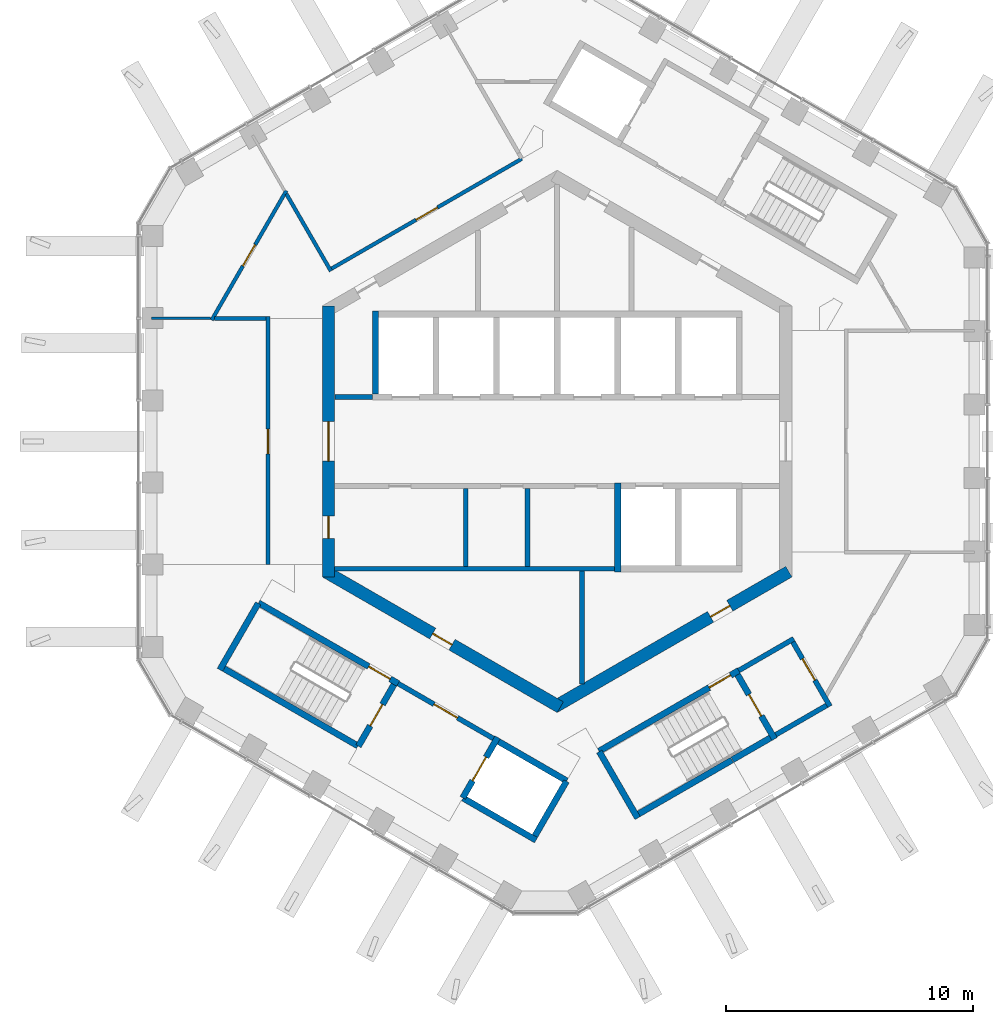
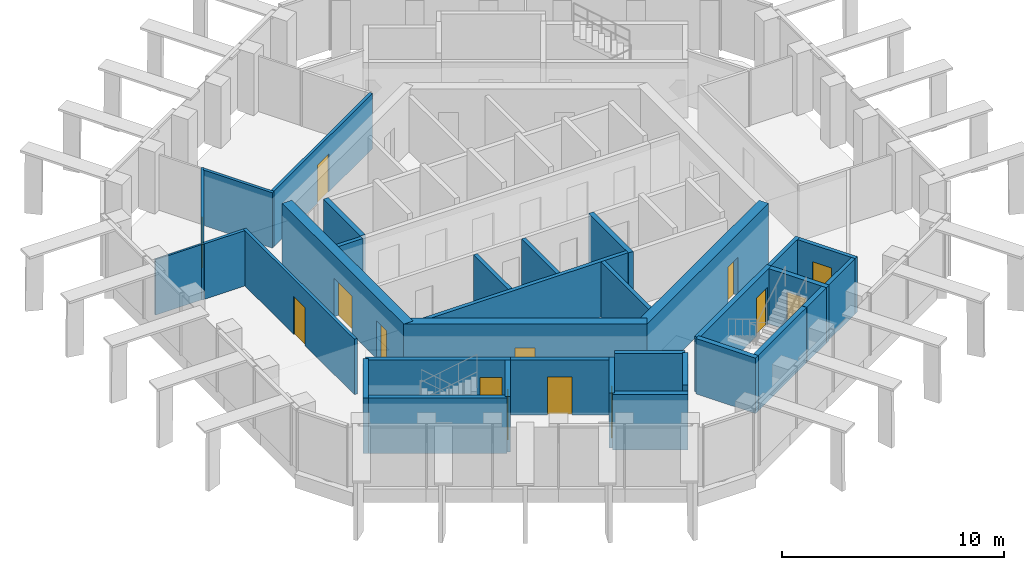
# One storey, part 11 of 17: 33 walls, 14 doors, 14 openings.
"""IFC4 building model written with IfcOpenShell, lengths in metres."""

from ifc_helpers import new_model, si_unit, direction, frame, frame_2d, origin, place, context, subcontext, project, spatial, rectangle, extrude, material, layer, layer_set, type_object, element, fill, save


model = new_model("IFC4")

# Units and contexts
model_context = context("Model", 3, precision=1e-05, world=origin(), true_north=direction((0.0, 1.0)))
body_context = subcontext(model_context, "Body", "Model", "MODEL_VIEW")
ifc_project = project(units=[si_unit("LENGTHUNIT", "METRE"), si_unit("AREAUNIT", "SQUARE_METRE"), si_unit("VOLUMEUNIT", "CUBIC_METRE"), si_unit("PLANEANGLEUNIT", "RADIAN"), si_unit("MASSUNIT", "GRAM", prefix="KILO")], contexts=[model_context])

# Site, building, storey
site_placement = place(None, origin())
site = spatial("IfcSite", under=ifc_project, at=site_placement, CompositionType="ELEMENT")
building_placement = place(site_placement, origin())
building = spatial("IfcBuilding", under=site, at=building_placement, Name="Ayvan Gate Tower", CompositionType="ELEMENT")
storey_placement = place(building_placement, frame((0.0, 0.0, 246.10009765625)))
storey = spatial("IfcBuildingStorey", under=building, at=storey_placement, Name="L66", CompositionType="ELEMENT", Elevation=246.10009765625)

# Wall, openings, doors
ifc_material_1 = material(Name="Concrete C60/75", Category="concrete")
ifc_layer_1 = layer(ifc_material_1, 0.5)
ifc_layer_set_1 = layer_set([ifc_layer_1], Name="Concrete C60/75")
wall_type_1 = type_object("IfcWallType", Name="Core wall 500 C60/75", PredefinedType="SHEAR", material=ifc_layer_set_1)
wall_1_placement = place(storey_placement, frame((-9.25, 5.48486328125, 0.0), z_axis=(0.0, 0.0, 1.0), x_axis=(0.0, -1.0, 0.0)))
wall_1 = element("IfcWall", 1, at=wall_1_placement, inside=storey, type_object=wall_type_1, Name="CORE-L66-3", PredefinedType="SHEAR", context=body_context, shape_type="SweptSolid", body=[
    extrude(rectangle(XDim=10.9697265625, YDim=0.5, at=frame_2d((5.48486328125, 0.0))), origin(), (0.0, 0.0, 1.0), 3.39990234375),
])
opening_1_placement = place(wall_1_placement, frame((8.509765625, 0.0, 0.0)))
opening_1 = element("IfcOpeningElement", 2, at=opening_1_placement, cuts=wall_1, Name="Opening L66-D35", PredefinedType="OPENING", context=body_context, shape_type="SweptSolid", body=[
    extrude(rectangle(XDim=0.89990234375, YDim=2.10009765625, at=frame_2d((0.449951171875, 1.050048828125))), frame((0.0, 0.260009765625, 0.0), z_axis=(0.0, -1.0, 0.0), x_axis=(1.0, 0.0, 0.0)), (0.0, 0.0, 1.0), 0.52001953125),
])
opening_2_placement = place(wall_1_placement, frame((4.684814453125, 0.0, 0.0)))
opening_2 = element("IfcOpeningElement", 3, at=opening_2_placement, cuts=wall_1, Name="Opening L66-D37", PredefinedType="OPENING", context=body_context, shape_type="SweptSolid", body=[
    extrude(rectangle(XDim=1.60009765625, YDim=2.10009765625, at=frame_2d((0.800048828125, 1.050048828125))), frame((0.0, 0.260009765625, 0.0), z_axis=(0.0, -1.0, 0.0), x_axis=(1.0, 0.0, 0.0)), (0.0, 0.0, 1.0), 0.52001953125),
])
ifc_material_2 = material(Name="Timber door leaf", Category="wood")
door_type_1 = type_object("IfcDoorType", Name="DT-1600", OperationType="NOTDEFINED", PredefinedType="DOOR", material=ifc_material_2)
door_1_placement = place(opening_2_placement, origin())
door_1 = element("IfcDoor", 4, at=door_1_placement, inside=storey, type_object=door_type_1, Name="CD-L66-37", OperationType="SINGLE_SWING_LEFT", OverallHeight=2.10009765625, OverallWidth=1.60009765625, PredefinedType="DOOR", context=body_context, shape_type="SweptSolid", body=[
    extrude(rectangle(XDim=1.60009765625, YDim=2.10009765625, at=frame_2d((0.800048828125, 1.050048828125))), frame((0.0, 0.02490234375, 0.0), z_axis=(0.0, -1.0, 0.0), x_axis=(1.0, 0.0, 0.0)), (0.0, 0.0, 1.0), 0.050048828125),
])
fill(opening_2, door_1)
door_type_2 = type_object("IfcDoorType", Name="DT-900", OperationType="NOTDEFINED", PredefinedType="DOOR", material=ifc_material_2)
door_2_placement = place(opening_1_placement, origin())
door_2 = element("IfcDoor", 5, at=door_2_placement, inside=storey, type_object=door_type_2, Name="CD-L66-35", OperationType="SINGLE_SWING_LEFT", OverallHeight=2.10009765625, OverallWidth=0.89990234375, PredefinedType="DOOR", context=body_context, shape_type="SweptSolid", body=[
    extrude(rectangle(XDim=0.89990234375, YDim=2.10009765625, at=frame_2d((0.449951171875, 1.050048828125))), frame((0.0, 0.02490234375, 0.0), z_axis=(0.0, -1.0, 0.0), x_axis=(1.0, 0.0, 0.0)), (0.0, 0.0, 1.0), 0.050048828125),
])
fill(opening_1, door_2)

# Wall, opening, door
wall_2_placement = place(storey_placement, frame((-9.375, -5.268310546875, 0.0), z_axis=(0.0, 0.0, 1.0), x_axis=(0.866023993627, -0.500002442456, 0.0)))
wall_2 = element("IfcWall", 6, at=wall_2_placement, inside=storey, type_object=wall_type_1, Name="CORE-L66-4", PredefinedType="SHEAR", context=body_context, shape_type="SweptSolid", body=[
    extrude(rectangle(XDim=10.9697265625, YDim=0.5, at=frame_2d((5.48486328125, 0.0))), origin(), (0.0, 0.0, 1.0), 3.39990234375),
])
opening_3_placement = place(wall_2_placement, frame((5.01123046875, 0.0, 0.0)))
opening_3 = element("IfcOpeningElement", 7, at=opening_3_placement, cuts=wall_2, Name="Opening L66-D33", PredefinedType="OPENING", context=body_context, shape_type="SweptSolid", body=[
    extrude(rectangle(XDim=0.89990234375, YDim=2.10009765625, at=frame_2d((0.449951171875, 1.050048828125))), frame((0.0, 0.260009765625, 0.0), z_axis=(0.0, -1.0, 0.0), x_axis=(1.0, 0.0, 0.0)), (0.0, 0.0, 1.0), 0.52001953125),
])
door_3_placement = place(opening_3_placement, origin())
door_3 = element("IfcDoor", 8, at=door_3_placement, inside=storey, type_object=door_type_2, Name="CD-L66-33", OperationType="SINGLE_SWING_LEFT", OverallHeight=2.10009765625, OverallWidth=0.89990234375, PredefinedType="DOOR", context=body_context, shape_type="SweptSolid", body=[
    extrude(rectangle(XDim=0.89990234375, YDim=2.10009765625, at=frame_2d((0.449951171875, 1.050048828125))), frame((0.0, 0.02490234375, 0.0), z_axis=(0.0, -1.0, 0.0), x_axis=(1.0, 0.0, 0.0)), (0.0, 0.0, 1.0), 0.050048828125),
])
fill(opening_3, door_3)

wall_3_placement = place(storey_placement, frame((-0.125, -10.753173828125, 0.0), z_axis=(0.0, 0.0, 1.0), x_axis=(0.866023993627, 0.500002442456, 0.0)))
wall_3 = element("IfcWall", 9, at=wall_3_placement, inside=storey, type_object=wall_type_1, Name="CORE-L66-5", PredefinedType="SHEAR", context=body_context, shape_type="SweptSolid", body=[
    extrude(rectangle(XDim=10.9697265625, YDim=0.5, at=frame_2d((5.48486328125, 0.0))), origin(), (0.0, 0.0, 1.0), 3.39990234375),
])
opening_4_placement = place(wall_3_placement, frame((7.310791015625, 0.0, 0.0)))
opening_4 = element("IfcOpeningElement", 10, at=opening_4_placement, cuts=wall_3, Name="Opening L66-D34", PredefinedType="OPENING", context=body_context, shape_type="SweptSolid", body=[
    extrude(rectangle(XDim=0.89990234375, YDim=2.10009765625, at=frame_2d((0.449951171875, 1.050048828125))), frame((0.0, 0.260009765625, 0.0), z_axis=(0.0, -1.0, 0.0), x_axis=(1.0, 0.0, 0.0)), (0.0, 0.0, 1.0), 0.52001953125),
])
door_4_placement = place(opening_4_placement, origin())
door_4 = element("IfcDoor", 11, at=door_4_placement, inside=storey, type_object=door_type_2, Name="CD-L66-34", OperationType="SINGLE_SWING_RIGHT", OverallHeight=2.10009765625, OverallWidth=0.89990234375, PredefinedType="DOOR", context=body_context, shape_type="SweptSolid", body=[
    extrude(rectangle(XDim=0.89990234375, YDim=2.10009765625, at=frame_2d((0.449951171875, 1.050048828125))), frame((0.0, 0.02490234375, 0.0), z_axis=(0.0, -1.0, 0.0), x_axis=(1.0, 0.0, 0.0)), (0.0, 0.0, 1.0), 0.050048828125),
])
fill(opening_4, door_4)

ifc_material_3 = material(Name="Plasterboard on steel stud", Category="steel")
ifc_layer_2 = layer(ifc_material_3, 0.14990234375)
ifc_layer_set_2 = layer_set([ifc_layer_2], Name="Plasterboard on steel stud")
wall_type_2 = type_object("IfcWallType", Name="WT-CORR-150", PredefinedType="PARTITIONING", material=ifc_layer_set_2)
wall_4_placement = place(storey_placement, frame((-13.9794921875, 4.910400390625, 0.0), z_axis=(0.0, 0.0, 1.0), x_axis=(0.500000995992, 0.866024828747, 0.0)))
wall_4 = element("IfcWall", 12, at=wall_4_placement, inside=storey, type_object=wall_type_2, Name="IW-L66-001", PredefinedType="PARTITIONING", context=body_context, shape_type="SweptSolid", body=[
    extrude(rectangle(XDim=6.04443359375, YDim=0.14990234375, at=frame_2d((3.022216796875, 0.0))), origin(), (0.0, 0.0, 1.0), 3.0498046875),
])
opening_5_placement = place(wall_4_placement, frame((2.522216796875, 0.0, 0.0)))
opening_5 = element("IfcOpeningElement", 13, at=opening_5_placement, cuts=wall_4, Name="Opening L66-D25", PredefinedType="OPENING", context=body_context, shape_type="SweptSolid", body=[
    extrude(rectangle(XDim=1.0, YDim=2.10009765625, at=frame_2d((0.5, 1.050048828125))), frame((0.0, 0.0849609375, 0.0), z_axis=(0.0, -1.0, 0.0), x_axis=(1.0, 0.0, 0.0)), (0.0, 0.0, 1.0), 0.169921875),
])
door_type_3 = type_object("IfcDoorType", Name="DT-1000", OperationType="NOTDEFINED", PredefinedType="DOOR", material=ifc_material_2)
door_5_placement = place(opening_5_placement, origin())
door_5 = element("IfcDoor", 14, at=door_5_placement, inside=storey, type_object=door_type_3, Name="ID-L66-025", OperationType="SINGLE_SWING_LEFT", OverallHeight=2.10009765625, OverallWidth=1.0, PredefinedType="DOOR", context=body_context, shape_type="SweptSolid", body=[
    extrude(rectangle(XDim=1.0, YDim=2.10009765625, at=frame_2d((0.5, 1.050048828125))), frame((0.0, 0.02490234375, 0.0), z_axis=(0.0, -1.0, 0.0), x_axis=(1.0, 0.0, 0.0)), (0.0, 0.0, 1.0), 0.050048828125),
])
fill(opening_5, door_5)

wall_5_placement = place(storey_placement, frame((-11.699951171875, -4.97509765625, 0.0), z_axis=(0.0, 0.0, 1.0), x_axis=(0.0, 1.0, 0.0)))
wall_5 = element("IfcWall", 15, at=wall_5_placement, inside=storey, type_object=wall_type_2, Name="IW-L66-005", PredefinedType="PARTITIONING", context=body_context, shape_type="SweptSolid", body=[
    extrude(rectangle(XDim=10.025390625, YDim=0.14990234375, at=frame_2d((5.0126953125, 0.0))), origin(), (0.0, 0.0, 1.0), 3.0498046875),
])
opening_6_placement = place(wall_5_placement, frame((4.474609375, 0.0, 0.0)))
opening_6 = element("IfcOpeningElement", 16, at=opening_6_placement, cuts=wall_5, Name="Opening L66-D26", PredefinedType="OPENING", context=body_context, shape_type="SweptSolid", body=[
    extrude(rectangle(XDim=1.0, YDim=2.10009765625, at=frame_2d((0.5, 1.050048828125))), frame((0.0, 0.0849609375, 0.0), z_axis=(0.0, -1.0, 0.0), x_axis=(1.0, 0.0, 0.0)), (0.0, 0.0, 1.0), 0.169921875),
])
door_6_placement = place(opening_6_placement, origin())
door_6 = element("IfcDoor", 17, at=door_6_placement, inside=storey, type_object=door_type_3, Name="ID-L66-026", OperationType="SINGLE_SWING_RIGHT", OverallHeight=2.10009765625, OverallWidth=1.0, PredefinedType="DOOR", context=body_context, shape_type="SweptSolid", body=[
    extrude(rectangle(XDim=1.0, YDim=2.10009765625, at=frame_2d((0.5, 1.050048828125))), frame((0.0, 0.02490234375, 0.0), z_axis=(0.0, -1.0, 0.0), x_axis=(1.0, 0.0, 0.0)), (0.0, 0.0, 1.0), 0.050048828125),
])
fill(opening_6, door_6)

# Walls
wall_6_placement = place(storey_placement, frame((-11.77490234375, 4.97509765625, 0.0), z_axis=(0.0, 0.0, 1.0), x_axis=(-1.0, 0.0, 0.0)))
element("IfcWall", 18, at=wall_6_placement, inside=storey, type_object=wall_type_2, Name="IW-L66-006", PredefinedType="PARTITIONING", context=body_context, shape_type="SweptSolid", body=[
    extrude(rectangle(XDim=2.092041015625, YDim=0.14990234375, at=frame_2d((1.0458984375, 0.0))), origin(), (0.0, 0.0, 1.0), 3.0498046875),
])
wall_7_placement = place(storey_placement, frame((-10.957275390625, 10.014892578125, 0.0), z_axis=(0.0, 0.0, 1.0), x_axis=(0.500019324569, -0.866014246452, 0.0)))
element("IfcWall", 19, at=wall_7_placement, inside=storey, type_object=wall_type_2, Name="IW-L66-007", PredefinedType="PARTITIONING", context=body_context, shape_type="SweptSolid", body=[
    extrude(rectangle(XDim=3.606689453125, YDim=0.14990234375, at=frame_2d((1.80322265625, 0.0))), origin(), (0.0, 0.0, 1.0), 3.0498046875),
])

# Wall, opening, door
wall_8_placement = place(storey_placement, frame((-9.12646484375, 6.993896484375, 0.0), z_axis=(0.0, 0.0, 1.0), x_axis=(0.866030533695, 0.499991114629, 0.0)))
wall_8 = element("IfcWall", 20, at=wall_8_placement, inside=storey, type_object=wall_type_2, Name="IW-L66-008", PredefinedType="PARTITIONING", context=body_context, shape_type="SweptSolid", body=[
    extrude(rectangle(XDim=8.888916015625, YDim=0.14990234375, at=frame_2d((4.4443359375, 0.0))), origin(), (0.0, 0.0, 1.0), 3.0498046875),
])
opening_7_placement = place(wall_8_placement, frame((3.9443359375, 0.0, 0.0)))
opening_7 = element("IfcOpeningElement", 21, at=opening_7_placement, cuts=wall_8, Name="Opening L66-D28", PredefinedType="OPENING", context=body_context, shape_type="SweptSolid", body=[
    extrude(rectangle(XDim=1.0, YDim=2.10009765625, at=frame_2d((0.5, 1.050048828125))), frame((0.0, 0.0849609375, 0.0), z_axis=(0.0, -1.0, 0.0), x_axis=(1.0, 0.0, 0.0)), (0.0, 0.0, 1.0), 0.169921875),
])
door_7_placement = place(opening_7_placement, origin())
door_7 = element("IfcDoor", 22, at=door_7_placement, inside=storey, type_object=door_type_3, Name="ID-L66-028", OperationType="SINGLE_SWING_RIGHT", OverallHeight=2.10009765625, OverallWidth=1.0, PredefinedType="DOOR", context=body_context, shape_type="SweptSolid", body=[
    extrude(rectangle(XDim=1.0, YDim=2.10009765625, at=frame_2d((0.5, 1.050048828125))), frame((0.0, 0.02490234375, 0.0), z_axis=(0.0, -1.0, 0.0), x_axis=(1.0, 0.0, 0.0)), (0.0, 0.0, 1.0), 0.050048828125),
])
fill(opening_7, door_7)

# Walls
ifc_layer_3 = layer(ifc_material_3, 0.10009765625)
ifc_layer_set_3 = layer_set([ifc_layer_3], Name="Plasterboard on steel stud")
wall_type_3 = type_object("IfcWallType", Name="WT-PART-100", PredefinedType="PARTITIONING", material=ifc_layer_set_3)
wall_9_placement = place(storey_placement, frame((-14.01708984375, 4.97509765625, 0.0), z_axis=(0.0, 0.0, 1.0), x_axis=(-1.0, 0.0, 0.0)))
element("IfcWall", 23, at=wall_9_placement, inside=storey, type_object=wall_type_3, Name="IW-L66-000", PredefinedType="PARTITIONING", context=body_context, shape_type="SweptSolid", body=[
    extrude(rectangle(XDim=2.3955078125, YDim=0.10009765625, at=frame_2d((1.19775390625, 0.0))), origin(), (0.0, 0.0, 1.0), 3.0498046875),
])
ifc_layer_4 = layer(ifc_material_3, 0.199951171875)
ifc_layer_set_4 = layer_set([ifc_layer_4], Name="Plasterboard on steel stud")
wall_type_4 = type_object("IfcWallType", Name="WT-RATED-200", PredefinedType="PARTITIONING", material=ifc_layer_set_4)
wall_10_placement = place(storey_placement, frame((-9.0, 1.800048828125, 0.0), z_axis=(0.0, 0.0, 1.0), x_axis=(1.0, 0.0, 0.0)))
element("IfcWall", 24, at=wall_10_placement, inside=storey, type_object=wall_type_4, Name="IW-L66-009", PredefinedType="PARTITIONING", context=body_context, shape_type="SweptSolid", body=[
    extrude(rectangle(XDim=1.525146484375, YDim=0.199951171875, at=frame_2d((0.7626953125, 0.0))), origin(), (0.0, 0.0, 1.0), 3.0498046875),
])
wall_11_placement = place(storey_placement, frame((-9.0, -5.14990234375, 0.0), z_axis=(0.0, 0.0, 1.0), x_axis=(1.0, 0.0, 0.0)))
element("IfcWall", 25, at=wall_11_placement, inside=storey, type_object=wall_type_4, Name="IW-L66-010", PredefinedType="PARTITIONING", context=body_context, shape_type="SweptSolid", body=[
    extrude(rectangle(XDim=11.3251953125, YDim=0.199951171875, at=frame_2d((5.66259765625, 0.0))), origin(), (0.0, 0.0, 1.0), 3.0498046875),
])

# Wall, opening, door
wall_12_placement = place(storey_placement, frame((-6.4345703125, -9.794921875, 0.0), z_axis=(0.0, 0.0, 1.0), x_axis=(0.866012907634, -0.500021643343, 0.0)))
wall_12 = element("IfcWall", 26, at=wall_12_placement, inside=storey, type_object=wall_type_4, Name="IW-L66-016", PredefinedType="PARTITIONING", context=body_context, shape_type="SweptSolid", body=[
    extrude(rectangle(XDim=4.449951171875, YDim=0.199951171875, at=frame_2d((2.22509765625, 0.0))), origin(), (0.0, 0.0, 1.0), 3.0498046875),
])
opening_8_placement = place(wall_12_placement, frame((1.675048828125, 0.0, 0.0)))
opening_8 = element("IfcOpeningElement", 27, at=opening_8_placement, cuts=wall_12, Name="Opening L66-D17", PredefinedType="OPENING", context=body_context, shape_type="SweptSolid", body=[
    extrude(rectangle(XDim=1.10009765625, YDim=2.10009765625, at=frame_2d((0.550048828125, 1.050048828125))), frame((0.0, 0.10986328125, 0.0), z_axis=(0.0, -1.0, 0.0), x_axis=(1.0, 0.0, 0.0)), (0.0, 0.0, 1.0), 0.219970703125),
])
door_type_4 = type_object("IfcDoorType", Name="DT-1100", OperationType="NOTDEFINED", PredefinedType="DOOR", material=ifc_material_2)
door_8_placement = place(opening_8_placement, origin())
door_8 = element("IfcDoor", 28, at=door_8_placement, inside=storey, type_object=door_type_4, Name="ID-L66-017", OperationType="SINGLE_SWING_LEFT", OverallHeight=2.10009765625, OverallWidth=1.10009765625, PredefinedType="DOOR", context=body_context, shape_type="SweptSolid", body=[
    extrude(rectangle(XDim=1.10009765625, YDim=2.10009765625, at=frame_2d((0.550048828125, 1.050048828125))), frame((0.0, 0.02490234375, 0.0), z_axis=(0.0, -1.0, 0.0), x_axis=(1.0, 0.0, 0.0)), (0.0, 0.0, 1.0), 0.050048828125),
])
fill(opening_8, door_8)

# Walls
for number, where, z_axis, x_axis, name in (
    (29, (-3.699951171875, -1.89990234375, 0.0), (0.0, 0.0, 1.0), (0.0, -1.0, 0.0), "IW-L66-018"),
    (30, (-1.199951171875, -1.89990234375, 0.0), (0.0, 0.0, 1.0), (0.0, -1.0, 0.0), "IW-L66-028"),
):
    element("IfcWall", number, at=place(storey_placement, frame(where, z_axis=z_axis, x_axis=x_axis)), inside=storey, type_object=wall_type_4, Name=name, PredefinedType="PARTITIONING", context=body_context, shape_type="SweptSolid", body=[
        extrude(rectangle(XDim=3.150146484375, YDim=0.199951171875, at=frame_2d((1.5751953125, 0.0))), origin(), (0.0, 0.0, 1.0), 3.0498046875),
    ])
wall_13_placement = place(storey_placement, frame((1.0, -5.25, 0.0), z_axis=(0.0, 0.0, 1.0), x_axis=(0.0, -1.0, 0.0)))
element("IfcWall", 31, at=wall_13_placement, inside=storey, type_object=wall_type_4, Name="IW-L66-035", PredefinedType="PARTITIONING", context=body_context, shape_type="SweptSolid", body=[
    extrude(rectangle(XDim=4.56494140625, YDim=0.199951171875, at=frame_2d((2.282470703125, 0.0))), origin(), (0.0, 0.0, 1.0), 3.0498046875),
])
wall_14_placement = place(storey_placement, frame((7.343994140625, -9.27001953125, 0.0), z_axis=(0.0, 0.0, 1.0), x_axis=(0.866005588531, 0.500034319456, 0.0)))
element("IfcWall", 32, at=wall_14_placement, inside=storey, type_object=wall_type_4, Name="IW-L66-053", PredefinedType="PARTITIONING", context=body_context, shape_type="SweptSolid", body=[
    extrude(rectangle(XDim=2.574951171875, YDim=0.199951171875, at=frame_2d((1.28759765625, 0.0))), origin(), (0.0, 0.0, 1.0), 3.0498046875),
])

# Wall, opening, door
wall_15_placement = place(storey_placement, frame((9.537353515625, -8.119140625, 0.0), z_axis=(0.0, 0.0, 1.0), x_axis=(0.499990139034, -0.866031096941, 0.0)))
wall_15 = element("IfcWall", 33, at=wall_15_placement, inside=storey, type_object=wall_type_4, Name="IW-L66-062", PredefinedType="PARTITIONING", context=body_context, shape_type="SweptSolid", body=[
    extrude(rectangle(XDim=3.0, YDim=0.199951171875, at=frame_2d((1.5, 0.0))), origin(), (0.0, 0.0, 1.0), 3.0498046875),
])
opening_9_placement = place(wall_15_placement, frame((0.777587890625, 0.0, 0.0)))
opening_9 = element("IfcOpeningElement", 34, at=opening_9_placement, cuts=wall_15, Name="Opening L66-D20", PredefinedType="OPENING", context=body_context, shape_type="SweptSolid", body=[
    extrude(rectangle(XDim=1.0, YDim=2.10009765625, at=frame_2d((0.5, 1.050048828125))), frame((0.0, 0.10986328125, 0.0), z_axis=(0.0, -1.0, 0.0), x_axis=(1.0, 0.0, 0.0)), (0.0, 0.0, 1.0), 0.219970703125),
])
door_9_placement = place(opening_9_placement, origin())
door_9 = element("IfcDoor", 35, at=door_9_placement, inside=storey, type_object=door_type_3, Name="ID-L66-020", OperationType="SINGLE_SWING_RIGHT", OverallHeight=2.10009765625, OverallWidth=1.0, PredefinedType="DOOR", context=body_context, shape_type="SweptSolid", body=[
    extrude(rectangle(XDim=1.0, YDim=2.10009765625, at=frame_2d((0.5, 1.050048828125))), frame((0.0, 0.02490234375, 0.0), z_axis=(0.0, -1.0, 0.0), x_axis=(1.0, 0.0, 0.0)), (0.0, 0.0, 1.0), 0.050048828125),
])
fill(opening_9, door_9)

# Walls
wall_16_placement = place(storey_placement, frame((10.900634765625, -10.6806640625, 0.0), z_axis=(0.0, 0.0, 1.0), x_axis=(-0.866007538022, -0.500030943131, 0.0)))
element("IfcWall", 36, at=wall_16_placement, inside=storey, type_object=wall_type_4, Name="IW-L66-063", PredefinedType="PARTITIONING", context=body_context, shape_type="SweptSolid", body=[
    extrude(rectangle(XDim=2.374755859375, YDim=0.199951171875, at=frame_2d((1.1875, 0.0))), origin(), (0.0, 0.0, 1.0), 3.0498046875),
])
ifc_material_4 = material(Name="Concrete C50/60", Category="concrete")
ifc_layer_5 = layer(ifc_material_4, 0.25)
ifc_layer_set_5 = layer_set([ifc_layer_5], Name="Concrete C50/60")
wall_type_5 = type_object("IfcWallType", Name="WT-RC-250", PredefinedType="SHEAR", material=ifc_layer_set_5)
wall_17_placement = place(storey_placement, frame((-13.64794921875, -9.23876953125, 0.0), z_axis=(0.0, 0.0, 1.0), x_axis=(0.500003782172, 0.866023220135, 0.0)))
element("IfcWall", 37, at=wall_17_placement, inside=storey, type_object=wall_type_5, Name="IW-L66-002", PredefinedType="SHEAR", context=body_context, shape_type="SweptSolid", body=[
    extrude(rectangle(XDim=3.10498046875, YDim=0.25, at=frame_2d((1.552490234375, 0.0))), origin(), (0.0, 0.0, 1.0), 3.0498046875),
])

# Wall, opening, door
wall_18_placement = place(storey_placement, frame((-12.08544921875, -6.532470703125, 0.0), z_axis=(0.0, 0.0, 1.0), x_axis=(0.866031063448, -0.499990197047, 0.0)))
wall_18 = element("IfcWall", 38, at=wall_18_placement, inside=storey, type_object=wall_type_5, Name="IW-L66-004", PredefinedType="SHEAR", context=body_context, shape_type="SweptSolid", body=[
    extrude(rectangle(XDim=6.525146484375, YDim=0.25, at=frame_2d((3.2626953125, 0.0))), origin(), (0.0, 0.0, 1.0), 3.0498046875),
])
opening_10_placement = place(wall_18_placement, frame((5.14990234375, 0.0, 0.0)))
opening_10 = element("IfcOpeningElement", 39, at=opening_10_placement, cuts=wall_18, Name="Opening L66-D15", PredefinedType="OPENING", context=body_context, shape_type="SweptSolid", body=[
    extrude(rectangle(XDim=1.0, YDim=2.10009765625, at=frame_2d((0.5, 1.050048828125))), frame((0.0, 0.135009765625, 0.0), z_axis=(0.0, -1.0, 0.0), x_axis=(1.0, 0.0, 0.0)), (0.0, 0.0, 1.0), 0.27001953125),
])
door_10_placement = place(opening_10_placement, origin())
door_10 = element("IfcDoor", 40, at=door_10_placement, inside=storey, type_object=door_type_3, Name="ID-L66-015", OperationType="SINGLE_SWING_LEFT", OverallHeight=2.10009765625, OverallWidth=1.0, PredefinedType="DOOR", context=body_context, shape_type="SweptSolid", body=[
    extrude(rectangle(XDim=1.0, YDim=2.10009765625, at=frame_2d((0.5, 1.050048828125))), frame((0.0, 0.02490234375, 0.0), z_axis=(0.0, -1.0, 0.0), x_axis=(1.0, 0.0, 0.0)), (0.0, 0.0, 1.0), 0.050048828125),
])
fill(opening_10, door_10)

# Walls
wall_19_placement = place(storey_placement, frame((-8.06005859375, -12.320556640625, 0.0), z_axis=(0.0, 0.0, 1.0), x_axis=(-0.866029591389, 0.499992746786, 0.0)))
element("IfcWall", 41, at=wall_19_placement, inside=storey, type_object=wall_type_5, Name="IW-L66-011", PredefinedType="SHEAR", context=body_context, shape_type="SweptSolid", body=[
    extrude(rectangle(XDim=6.2548828125, YDim=0.25, at=frame_2d((3.12744140625, 0.0))), origin(), (0.0, 0.0, 1.0), 3.0498046875),
])
wall_20_placement = place(storey_placement, frame((-7.35009765625, 1.925048828125, 0.0), z_axis=(0.0, 0.0, 1.0), x_axis=(0.0, 1.0, 0.0)))
element("IfcWall", 42, at=wall_20_placement, inside=storey, type_object=wall_type_5, Name="IW-L66-013", PredefinedType="SHEAR", context=body_context, shape_type="SweptSolid", body=[
    extrude(rectangle(XDim=3.349853515625, YDim=0.25, at=frame_2d((1.6748046875, 0.0))), origin(), (0.0, 0.0, 1.0), 3.0498046875),
])

# Wall, opening, door
wall_21_placement = place(storey_placement, frame((-6.605224609375, -9.8408203125, 0.0), z_axis=(0.0, 0.0, 1.0), x_axis=(-0.500011588718, -0.866018712932, 0.0)))
wall_21 = element("IfcWall", 43, at=wall_21_placement, inside=storey, type_object=wall_type_5, Name="IW-L66-015", PredefinedType="SHEAR", context=body_context, shape_type="SweptSolid", body=[
    extrude(rectangle(XDim=2.875, YDim=0.25, at=frame_2d((1.4375, 0.0))), origin(), (0.0, 0.0, 1.0), 3.0498046875),
])
opening_11_placement = place(wall_21_placement, frame((0.923095703125, 0.0, 0.0)))
opening_11 = element("IfcOpeningElement", 44, at=opening_11_placement, cuts=wall_21, Name="Opening L66-D16", PredefinedType="OPENING", context=body_context, shape_type="SweptSolid", body=[
    extrude(rectangle(XDim=1.0, YDim=2.10009765625, at=frame_2d((0.5, 1.050048828125))), frame((0.0, 0.135009765625, 0.0), z_axis=(0.0, -1.0, 0.0), x_axis=(1.0, 0.0, 0.0)), (0.0, 0.0, 1.0), 0.27001953125),
])
door_11_placement = place(opening_11_placement, origin())
door_11 = element("IfcDoor", 45, at=door_11_placement, inside=storey, type_object=door_type_3, Name="ID-L66-016", OperationType="SINGLE_SWING_RIGHT", OverallHeight=2.10009765625, OverallWidth=1.0, PredefinedType="DOOR", context=body_context, shape_type="SweptSolid", body=[
    extrude(rectangle(XDim=1.0, YDim=2.10009765625, at=frame_2d((0.5, 1.050048828125))), frame((0.0, 0.02490234375, 0.0), z_axis=(0.0, -1.0, 0.0), x_axis=(1.0, 0.0, 0.0)), (0.0, 0.0, 1.0), 0.050048828125),
])
fill(opening_11, door_11)

wall_22_placement = place(storey_placement, frame((-2.409912109375, -11.97412109375, 0.0), z_axis=(0.0, 0.0, 1.0), x_axis=(-0.49998675294, -0.866033051843, 0.0)))
wall_22 = element("IfcWall", 46, at=wall_22_placement, inside=storey, type_object=wall_type_5, Name="IW-L66-023", PredefinedType="SHEAR", context=body_context, shape_type="SweptSolid", body=[
    extrude(rectangle(XDim=2.8251953125, YDim=0.25, at=frame_2d((1.41259765625, 0.0))), origin(), (0.0, 0.0, 1.0), 3.0498046875),
])
opening_12_placement = place(wall_22_placement, frame((0.925537109375, 0.0, 0.0)))
opening_12 = element("IfcOpeningElement", 47, at=opening_12_placement, cuts=wall_22, Name="Opening L66-LD-FF2", PredefinedType="OPENING", context=body_context, shape_type="SweptSolid", body=[
    extrude(rectangle(XDim=1.10009765625, YDim=2.10009765625, at=frame_2d((0.550048828125, 1.050048828125))), frame((0.0, 0.135009765625, 0.0), z_axis=(0.0, -1.0, 0.0), x_axis=(1.0, 0.0, 0.0)), (0.0, 0.0, 1.0), 0.27001953125),
])
ifc_material_5 = material(Name="Stainless steel landing door", Category="steel")
door_type_5 = type_object("IfcDoorType", Name="DT-LANDING-1100", OperationType="SLIDING_TO_LEFT", PredefinedType="DOOR", material=ifc_material_5)
door_12_placement = place(opening_12_placement, origin())
door_12 = element("IfcDoor", 48, at=door_12_placement, inside=storey, type_object=door_type_5, Name="ID-L66-018", OperationType="SLIDING_TO_LEFT", OverallHeight=2.10009765625, OverallWidth=1.10009765625, PredefinedType="DOOR", context=body_context, shape_type="SweptSolid", body=[
    extrude(rectangle(XDim=1.10009765625, YDim=2.10009765625, at=frame_2d((0.550048828125, 1.050048828125))), frame((0.0, 0.02490234375, 0.0), z_axis=(0.0, -1.0, 0.0), x_axis=(1.0, 0.0, 0.0)), (0.0, 0.0, 1.0), 0.050048828125),
])
fill(opening_12, door_12)

# Walls
wall_23_placement = place(storey_placement, frame((-2.3642578125, -12.14501953125, 0.0), z_axis=(0.0, 0.0, 1.0), x_axis=(0.866048579423, -0.499959856469, 0.0)))
element("IfcWall", 49, at=wall_23_placement, inside=storey, type_object=wall_type_5, Name="IW-L66-024", PredefinedType="SHEAR", context=body_context, shape_type="SweptSolid", body=[
    extrude(rectangle(XDim=3.175048828125, YDim=0.25, at=frame_2d((1.58740234375, 0.0))), origin(), (0.0, 0.0, 1.0), 3.39990234375),
])
wall_24_placement = place(storey_placement, frame((-0.8564453125, -16.13330078125, 0.0), z_axis=(0.0, 0.0, 1.0), x_axis=(-0.866032748241, 0.499987278812, 0.0)))
element("IfcWall", 50, at=wall_24_placement, inside=storey, type_object=wall_type_5, Name="IW-L66-029", PredefinedType="SHEAR", context=body_context, shape_type="SweptSolid", body=[
    extrude(rectangle(XDim=3.40478515625, YDim=0.25, at=frame_2d((1.702392578125, 0.0))), origin(), (0.0, 0.0, 1.0), 3.0498046875),
])
wall_25_placement = place(storey_placement, frame((0.37548828125, -13.749755859375, 0.0), z_axis=(0.0, 0.0, 1.0), x_axis=(-0.50003400563, -0.866005769735, 0.0)))
element("IfcWall", 51, at=wall_25_placement, inside=storey, type_object=wall_type_5, Name="IW-L66-033", PredefinedType="SHEAR", context=body_context, shape_type="SweptSolid", body=[
    extrude(rectangle(XDim=2.554931640625, YDim=0.25, at=frame_2d((1.27734375, 0.0))), origin(), (0.0, 0.0, 1.0), 3.39990234375),
])

# Wall, opening, door
wall_26_placement = place(storey_placement, frame((1.693115234375, -12.532470703125, 0.0), z_axis=(0.0, 0.0, 1.0), x_axis=(0.866031063448, 0.499990197047, 0.0)))
wall_26 = element("IfcWall", 52, at=wall_26_placement, inside=storey, type_object=wall_type_5, Name="IW-L66-036", PredefinedType="SHEAR", context=body_context, shape_type="SweptSolid", body=[
    extrude(rectangle(XDim=6.525146484375, YDim=0.25, at=frame_2d((3.2626953125, 0.0))), origin(), (0.0, 0.0, 1.0), 3.0498046875),
])
opening_13_placement = place(wall_26_placement, frame((5.14990234375, 0.0, 0.0)))
opening_13 = element("IfcOpeningElement", 53, at=opening_13_placement, cuts=wall_26, Name="Opening L66-D19", PredefinedType="OPENING", context=body_context, shape_type="SweptSolid", body=[
    extrude(rectangle(XDim=1.0, YDim=2.10009765625, at=frame_2d((0.5, 1.050048828125))), frame((0.0, 0.135009765625, 0.0), z_axis=(0.0, -1.0, 0.0), x_axis=(1.0, 0.0, 0.0)), (0.0, 0.0, 1.0), 0.27001953125),
])
door_13_placement = place(opening_13_placement, origin())
door_13 = element("IfcDoor", 54, at=door_13_placement, inside=storey, type_object=door_type_3, Name="ID-L66-019", OperationType="SINGLE_SWING_LEFT", OverallHeight=2.10009765625, OverallWidth=1.0, PredefinedType="DOOR", context=body_context, shape_type="SweptSolid", body=[
    extrude(rectangle(XDim=1.0, YDim=2.10009765625, at=frame_2d((0.5, 1.050048828125))), frame((0.0, 0.02490234375, 0.0), z_axis=(0.0, -1.0, 0.0), x_axis=(1.0, 0.0, 0.0)), (0.0, 0.0, 1.0), 0.050048828125),
])
fill(opening_13, door_13)

# Walls
wall_27_placement = place(storey_placement, frame((2.449951171875, -5.27490234375, 0.0), z_axis=(0.0, 0.0, 1.0), x_axis=(0.0, 1.0, 0.0)))
element("IfcWall", 55, at=wall_27_placement, inside=storey, type_object=wall_type_5, Name="IW-L66-037", PredefinedType="SHEAR", context=body_context, shape_type="SweptSolid", body=[
    extrude(rectangle(XDim=3.599853515625, YDim=0.25, at=frame_2d((1.7998046875, 0.0))), origin(), (0.0, 0.0, 1.0), 3.0498046875),
])
wall_28_placement = place(storey_placement, frame((3.255615234375, -15.23876953125, 0.0), z_axis=(0.0, 0.0, 1.0), x_axis=(-0.500003782172, 0.866023220135, 0.0)))
element("IfcWall", 56, at=wall_28_placement, inside=storey, type_object=wall_type_5, Name="IW-L66-042", PredefinedType="SHEAR", context=body_context, shape_type="SweptSolid", body=[
    extrude(rectangle(XDim=3.10498046875, YDim=0.25, at=frame_2d((1.552490234375, 0.0))), origin(), (0.0, 0.0, 1.0), 3.0498046875),
])
wall_29_placement = place(storey_placement, frame((7.07275390625, -12.890625, 0.0), z_axis=(0.0, 0.0, 1.0), x_axis=(-0.866023145199, -0.500003911965, 0.0)))
element("IfcWall", 57, at=wall_29_placement, inside=storey, type_object=wall_type_5, Name="IW-L66-051", PredefinedType="SHEAR", context=body_context, shape_type="SweptSolid", body=[
    extrude(rectangle(XDim=4.35498046875, YDim=0.25, at=frame_2d((2.177490234375, 0.0))), origin(), (0.0, 0.0, 1.0), 3.0498046875),
])

# Wall, opening, door
wall_30_placement = place(storey_placement, frame((7.298095703125, -9.44091796875, 0.0), z_axis=(0.0, 0.0, 1.0), x_axis=(0.50002537861, -0.866010750942, 0.0)))
wall_30 = element("IfcWall", 58, at=wall_30_placement, inside=storey, type_object=wall_type_5, Name="IW-L66-052", PredefinedType="SHEAR", context=body_context, shape_type="SweptSolid", body=[
    extrude(rectangle(XDim=2.999755859375, YDim=0.25, at=frame_2d((1.5, 0.0))), origin(), (0.0, 0.0, 1.0), 3.0498046875),
])
opening_14_placement = place(wall_30_placement, frame((0.922607421875, 0.0, 0.0)))
opening_14 = element("IfcOpeningElement", 59, at=opening_14_placement, cuts=wall_30, Name="Opening L66-D21", PredefinedType="OPENING", context=body_context, shape_type="SweptSolid", body=[
    extrude(rectangle(XDim=1.0, YDim=2.10009765625, at=frame_2d((0.5, 1.050048828125))), frame((0.0, 0.135009765625, 0.0), z_axis=(0.0, -1.0, 0.0), x_axis=(1.0, 0.0, 0.0)), (0.0, 0.0, 1.0), 0.27001953125),
])
door_14_placement = place(opening_14_placement, origin())
door_14 = element("IfcDoor", 60, at=door_14_placement, inside=storey, type_object=door_type_3, Name="ID-L66-021", OperationType="SINGLE_SWING_LEFT", OverallHeight=2.10009765625, OverallWidth=1.0, PredefinedType="DOOR", context=body_context, shape_type="SweptSolid", body=[
    extrude(rectangle(XDim=1.0, YDim=2.10009765625, at=frame_2d((0.5, 1.050048828125))), frame((0.0, 0.02490234375, 0.0), z_axis=(0.0, -1.0, 0.0), x_axis=(1.0, 0.0, 0.0)), (0.0, 0.0, 1.0), 0.050048828125),
])
fill(opening_14, door_14)

# Wall
wall_31_placement = place(storey_placement, frame((8.62744140625, -11.9931640625, 0.0), z_axis=(0.0, 0.0, 1.0), x_axis=(-0.866059624469, -0.499940723351, 0.0)))
element("IfcWall", 61, at=wall_31_placement, inside=storey, type_object=wall_type_5, Name="IW-L66-060", PredefinedType="SHEAR", context=body_context, shape_type="SweptSolid", body=[
    extrude(rectangle(XDim=1.775146484375, YDim=0.25, at=frame_2d((0.8876953125, 0.0))), origin(), (0.0, 0.0, 1.0), 3.0498046875),
])

save(model, "model.ifc")
